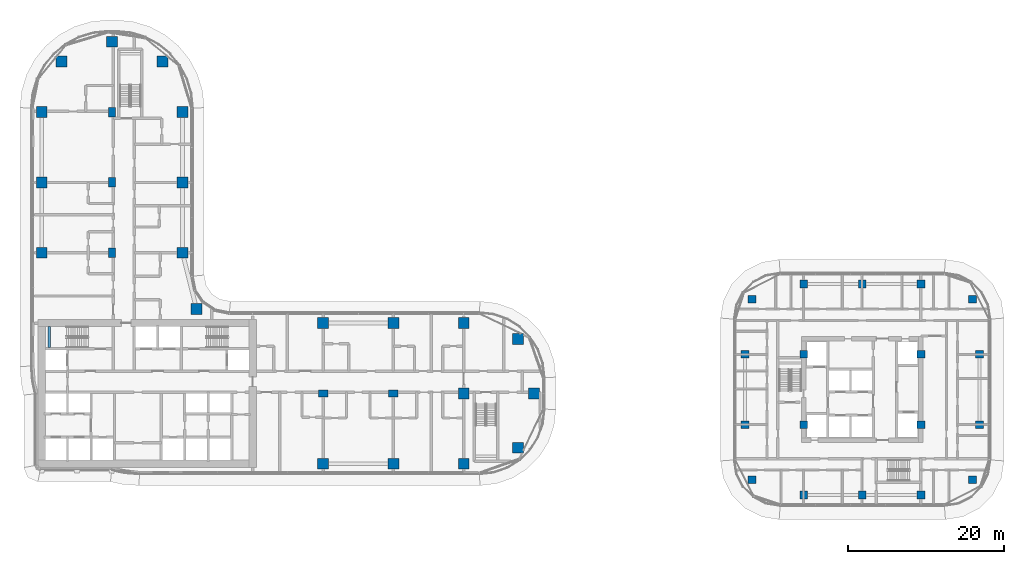
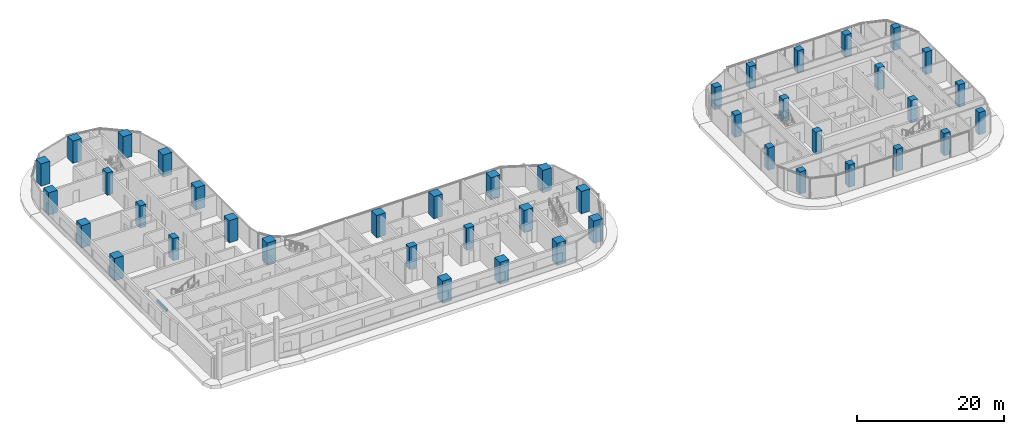
# One storey, part 1 of 39: 43 columns, 1 beam.
"""IFC4 building model written with IfcOpenShell, lengths in metres."""

import ifcopenshell
import ifcopenshell.guid

model = None  # the IFC model being written
_history = None  # IfcOwnerHistory: only IFC2X3 demands one
_inside = {}  # id of a spatial element -> (the spatial element, [elements in it])
_under = {}  # id of a project, library or spatial element -> (it, [spatial elements below it])
_declared = {}  # id of a project -> (the project, [libraries it declares])
_typed = {}  # id of a type object -> (the type object, [elements of that type])
_made_of = {}  # id of a material, layer set ... -> (it, [elements and type objects made of it])


def new_model(schema):
    """Start an empty IFC model of exactly this schema.

    Asked for "IFC4X3", IfcOpenShell would pick the latest addendum, in which some entities
    have other attributes; the version numbers below select the first issue.
    IFC2X3 requires an IfcOwnerHistory on every rooted entity: one is made here for all.
    """
    global model, _history
    if schema == "IFC4X3":
        model = ifcopenshell.file(schema_version=(4, 3, 0, 0))
    else:
        model = ifcopenshell.file(schema=schema)
    _inside.clear()
    _under.clear()
    _declared.clear()
    _typed.clear()
    _made_of.clear()
    _history = None
    if model.schema == "IFC2X3":
        org = make("IfcOrganization", Name="unknown")
        user = make(
            "IfcPersonAndOrganization",
            ThePerson=make("IfcPerson", FamilyName="unknown"),
            TheOrganization=org,
        )
        app = make(
            "IfcApplication",
            ApplicationDeveloper=org,
            Version="unknown",
            ApplicationFullName="unknown",
            ApplicationIdentifier="unknown",
        )
        _history = make(
            "IfcOwnerHistory",
            OwningUser=user,
            OwningApplication=app,
            ChangeAction="ADDED",
            CreationDate=0,
        )
    return model


def make(cls, **values):
    """One entity of the class cls with the attributes given. An attribute that is None is left unset."""
    return model.create_entity(
        cls, **{name: value for name, value in values.items() if value is not None}
    )


def rooted(cls, **values):
    """An entity with a GlobalId (a new one), such as an element, a storey or a relation."""
    return make(cls, GlobalId=ifcopenshell.guid.new(), OwnerHistory=_history, **values)


def si_unit(unit_type, name, prefix=None):
    """IfcSIUnit, for example si_unit("LENGTHUNIT", "METRE", prefix="MILLI")."""
    return make("IfcSIUnit", UnitType=unit_type, Prefix=prefix, Name=name)


def assignment(units):
    """IfcUnitAssignment: the units of a project."""
    return None if units is None else make("IfcUnitAssignment", Units=units)


def point(xyz):
    """IfcCartesianPoint."""
    return None if xyz is None else make("IfcCartesianPoint", Coordinates=xyz)


def direction(xyz):
    """IfcDirection."""
    return None if xyz is None else make("IfcDirection", DirectionRatios=xyz)


def frame(location, z_axis=None, x_axis=None):
    """IfcAxis2Placement3D, a coordinate frame: its origin and axes. An axis left out is left unset."""
    return make(
        "IfcAxis2Placement3D",
        Location=point(location),
        Axis=direction(z_axis),
        RefDirection=direction(x_axis),
    )


def frame_2d(location, x_axis=None):
    """IfcAxis2Placement2D, a coordinate frame in the plane: its origin and x axis."""
    return make(
        "IfcAxis2Placement2D", Location=point(location), RefDirection=direction(x_axis)
    )


def origin():
    """The frame at (0, 0, 0) with its axes left unset."""
    return frame((0.0, 0.0, 0.0))


def origin_2d():
    """The frame at (0, 0) in the plane with its x axis left unset."""
    return frame_2d((0.0, 0.0))


def place(relative_to, where):
    """IfcLocalPlacement: puts the frame where relative to a parent placement (None: the world)."""
    return make(
        "IfcLocalPlacement", PlacementRelTo=relative_to, RelativePlacement=where
    )


def context(
    kind, dimensions, precision=None, world=None, true_north=None, identifier=None
):
    """IfcGeometricRepresentationContext, for example the 3D "Model" context."""
    return make(
        "IfcGeometricRepresentationContext",
        ContextIdentifier=identifier,
        ContextType=kind,
        CoordinateSpaceDimension=dimensions,
        Precision=precision,
        WorldCoordinateSystem=world,
        TrueNorth=true_north,
    )


def subcontext(parent, identifier, kind, view, scale=None):
    """IfcGeometricRepresentationSubContext, for example "Body" below "Model"."""
    return make(
        "IfcGeometricRepresentationSubContext",
        ContextIdentifier=identifier,
        ContextType=kind,
        ParentContext=parent,
        TargetScale=scale,
        TargetView=view,
    )


def project(units=None, contexts=None):
    """IfcProject with its units and contexts."""
    return rooted(
        "IfcProject",
        Name="project",
        RepresentationContexts=contexts,
        UnitsInContext=assignment(units),
    )


def spatial(cls, under=None, at=None, **own):
    """A site, building, storey or space (cls), placed at a placement, below another one or the project."""
    s = rooted(cls, ObjectPlacement=at, **own)
    if under is not None:
        _under.setdefault(under.id(), (under, []))[1].append(s)
    return s


def profile(cls, at=None, kind="AREA", **sizes):
    """A parametric profile (cls). Its sizes go by their IFC names, for example OverallWidth=200.0."""
    return make(cls, ProfileType=kind, Position=at, **sizes)


def rectangle(**sizes):
    """IfcRectangleProfileDef."""
    return profile("IfcRectangleProfileDef", **sizes)


def extrude(swept, where, along, depth):
    """IfcExtrudedAreaSolid: the profile swept, set in the frame where, extruded along a direction by depth."""
    return make(
        "IfcExtrudedAreaSolid",
        SweptArea=swept,
        Position=where,
        ExtrudedDirection=direction(along),
        Depth=depth,
    )


def shape(context_of_items, identifier, shape_type, items):
    """IfcShapeRepresentation: the items that make up one representation, for example the "Body"."""
    return make(
        "IfcShapeRepresentation",
        ContextOfItems=context_of_items,
        RepresentationIdentifier=identifier,
        RepresentationType=shape_type,
        Items=items,
    )


def material(Name=None, Category=None):
    """IfcMaterial."""
    return make("IfcMaterial", Name=Name, Category=Category)


def material_profile(
    of_material, cross_section, Name=None, Category=None, Priority=None
):
    """IfcMaterialProfile: a cross section and its material."""
    return make(
        "IfcMaterialProfile",
        Name=Name,
        Material=of_material,
        Profile=cross_section,
        Priority=Priority,
        Category=Category,
    )


def profile_set(profiles, Name=None, composite=None):
    """IfcMaterialProfileSet."""
    return make(
        "IfcMaterialProfileSet",
        Name=Name,
        MaterialProfiles=profiles,
        CompositeProfile=composite,
    )


def made_of(thing, what):
    """Note that an element or type object is made of a material, layer set ...; save() writes the relation."""
    if what is not None:
        _made_of.setdefault(what.id(), (what, []))[1].append(thing)
    return thing


def type_object(cls, material=None, **own):
    """A type object (cls), such as IfcWallType, which elements share."""
    return made_of(rooted(cls, **own), material)


def element(
    cls,
    number,
    at=None,
    inside=None,
    cuts=None,
    type_object=None,
    material=None,
    context=None,
    identifier="Body",
    shape_type=None,
    held_by="IfcProductDefinitionShape",
    body=None,
    shapes=None,
    **own,
):
    """One element of the class cls, such as IfcWall. Its Tag is "e" and its number.

    at: its placement. inside: the storey or other place that contains it. cuts: it is an
    opening in that element (IfcRelVoidsElement). A single representation is given by context,
    identifier, shape_type and body (its items); several are given by shapes. held_by: the class
    of the entity that holds the representations. save() writes the other relations.
    """
    e = rooted(cls, Tag="e%d" % number, ObjectPlacement=at, **own)
    if body is not None:
        shapes = [shape(context, identifier, shape_type, body)]
    if shapes is not None:
        e.Representation = make(held_by, Representations=shapes)
    if inside is not None:
        _inside.setdefault(inside.id(), (inside, []))[1].append(e)
    if cuts is not None:
        rooted(
            "IfcRelVoidsElement", RelatingBuildingElement=cuts, RelatedOpeningElement=e
        )
    if type_object is not None:
        _typed.setdefault(type_object.id(), (type_object, []))[1].append(e)
    return made_of(e, material)


def aggregate(whole, parts):
    """IfcRelAggregates: a whole, such as a stair, and the parts it consists of."""
    return rooted("IfcRelAggregates", RelatingObject=whole, RelatedObjects=parts)


def save(model, path):
    """Write the relations noted so far, then the file.

    IfcRelAggregates (storeys below a building ...), IfcRelContainedInSpatialStructure (elements
    in a storey), IfcRelDefinesByType, IfcRelAssociatesMaterial and IfcRelDeclares: one each for
    every whole, place, type object, material and project.
    """
    for whole, parts in _under.values():
        aggregate(whole, parts)
    for where, things in _inside.values():
        rooted(
            "IfcRelContainedInSpatialStructure",
            RelatedElements=things,
            RelatingStructure=where,
        )
    for kind, things in _typed.values():
        rooted("IfcRelDefinesByType", RelatedObjects=things, RelatingType=kind)
    for what, things in _made_of.values():
        rooted("IfcRelAssociatesMaterial", RelatedObjects=things, RelatingMaterial=what)
    for by, libraries in _declared.values():
        rooted("IfcRelDeclares", RelatingContext=by, RelatedDefinitions=libraries)
    model.write(path)


model = new_model("IFC4")

# Units and contexts
model_context = context("Model", 3, precision=1e-05, world=origin(), true_north=direction((0.0, 1.0)))
body_context = subcontext(model_context, "Body", "Model", "MODEL_VIEW")
ifc_project = project(units=[si_unit("LENGTHUNIT", "METRE"), si_unit("AREAUNIT", "SQUARE_METRE"), si_unit("VOLUMEUNIT", "CUBIC_METRE"), si_unit("PLANEANGLEUNIT", "RADIAN"), si_unit("MASSUNIT", "GRAM", prefix="KILO")], contexts=[model_context])

# Site, building, storey
site_placement = place(None, origin())
site = spatial("IfcSite", under=ifc_project, at=site_placement, CompositionType="ELEMENT")
building_placement = place(site_placement, origin())
building = spatial("IfcBuilding", under=site, at=building_placement, Name="Ogive Portal Towers", CompositionType="ELEMENT")
storey_placement = place(building_placement, frame((0.0, 0.0, 44.60009765625)))
storey = spatial("IfcBuildingStorey", under=building, at=storey_placement, Name="L09", CompositionType="ELEMENT", Elevation=44.60009765625)

# Columns
ifc_material_1 = material(Name="Concrete C60/75", Category="concrete")
ifc_material_profile_1 = material_profile(ifc_material_1, rectangle(XDim=1.0, YDim=1.0, at=origin_2d()), Name="RC 1000x1000")
ifc_profile_set_1 = profile_set([ifc_material_profile_1], Name="Concrete C60/75")
column_type_1 = type_object("IfcColumnType", Name="COLUMN RC 1000x1000", PredefinedType="COLUMN", material=ifc_profile_set_1)
for number, where, z_axis, x_axis, name in (
    (1, (129.0, 17.5, 0.0), (0.0, 0.0, 1.0), (1.0, 0.0, 0.0), "Column 12/H L09"),
    (2, (136.5, 17.5, 0.0), (0.0, 0.0, 1.0), (1.0, 0.0, 0.0), "Column 13/H L09"),
    (3, (144.0, 17.5, 0.0), (0.0, 0.0, 1.0), (1.0, 0.0, 0.0), "Column 14/H L09"),
    (4, (122.40087890625, 19.44189453125, 0.0), (0.0, 0.0, 1.0), (1.0, 0.0, 0.0), "Column L09"),
    (5, (150.59912109375, 19.44189453125, 0.0), (0.0, 0.0, 1.0), (1.0, 0.0, 0.0), "Column L09"),
    (6, (121.5, 26.5, 0.0), (0.0, 0.0, 1.0), (1.0, 0.0, 0.0), "Column 11/J L09"),
    (7, (129.0, 26.5, 0.0), (0.0, 0.0, 1.0), (1.0, 0.0, 0.0), "Column 12/J L09"),
    (8, (144.0, 26.5, 0.0), (0.0, 0.0, 1.0), (1.0, 0.0, 0.0), "Column 14/J L09"),
    (9, (151.5, 26.5, 0.0), (0.0, 0.0, 1.0), (1.0, 0.0, 0.0), "Column 15/J L09"),
    (10, (121.5, 35.5, 0.0), (0.0, 0.0, 1.0), (1.0, 0.0, 0.0), "Column 11/K L09"),
    (11, (129.0, 35.5, 0.0), (0.0, 0.0, 1.0), (1.0, 0.0, 0.0), "Column 12/K L09"),
    (12, (144.0, 35.5, 0.0), (0.0, 0.0, 1.0), (1.0, 0.0, 0.0), "Column 14/K L09"),
    (13, (151.5, 35.5, 0.0), (0.0, 0.0, 1.0), (1.0, 0.0, 0.0), "Column 15/K L09"),
    (14, (122.40087890625, 42.55810546875, 0.0), (0.0, 0.0, 1.0), (1.0, 0.0, 0.0), "Column L09"),
    (15, (150.59912109375, 42.55810546875, 0.0), (0.0, 0.0, 1.0), (1.0, 0.0, 0.0), "Column L09"),
    (16, (129.0, 44.5, 0.0), (0.0, 0.0, 1.0), (1.0, 0.0, 0.0), "Column 12/L L09"),
    (17, (136.5, 44.5, 0.0), (0.0, 0.0, 1.0), (1.0, 0.0, 0.0), "Column 13/L L09"),
    (18, (144.0, 44.5, 0.0), (0.0, 0.0, 1.0), (1.0, 0.0, 0.0), "Column 14/L L09"),
):
    element("IfcColumn", number, at=place(storey_placement, frame(where, z_axis=z_axis, x_axis=x_axis)), inside=storey, type_object=column_type_1, Name=name, PredefinedType="COLUMN", context=body_context, shape_type="SweptSolid", body=[
        extrude(rectangle(XDim=1.0, YDim=1.0, at=origin_2d()), origin(), (0.0, 0.0, 1.0), 3.699951171875),
    ])
ifc_material_profile_2 = material_profile(ifc_material_1, rectangle(XDim=1.199951171875, YDim=0.89990234375, at=origin_2d()), Name="RC 1200x900")
ifc_profile_set_2 = profile_set([ifc_material_profile_2], Name="Concrete C60/75")
column_type_2 = type_object("IfcColumnType", Name="COLUMN RC 1200x900", PredefinedType="COLUMN", material=ifc_profile_set_2)
for number, where, z_axis, x_axis, name in (
    (19, (67.5, 30.5, 0.0), (0.0, 0.0, 1.0), (1.0, 0.0, 0.0), "Column 5/B L09"),
    (20, (76.5, 30.5, 0.0), (0.0, 0.0, 1.0), (1.0, 0.0, 0.0), "Column 6/B L09"),
    (21, (40.5, 48.5, 0.0), (0.0, 0.0, 1.0), (0.0, 1.0, 0.0), "Column 2/D L09"),
    (22, (40.5, 57.5, 0.0), (0.0, 0.0, 1.0), (0.0, 1.0, 0.0), "Column 2/E L09"),
    (23, (40.5, 66.5, 0.0), (0.0, 0.0, 1.0), (0.0, 1.0, 0.0), "Column 2/F L09"),
):
    element("IfcColumn", number, at=place(storey_placement, frame(where, z_axis=z_axis, x_axis=x_axis)), inside=storey, type_object=column_type_2, Name=name, PredefinedType="COLUMN", context=body_context, shape_type="SweptSolid", body=[
        extrude(rectangle(XDim=1.199951171875, YDim=0.89990234375, at=origin_2d()), origin(), (0.0, 0.0, 1.0), 3.699951171875),
    ])
ifc_material_profile_3 = material_profile(ifc_material_1, rectangle(XDim=1.39990234375, YDim=1.39990234375, at=origin_2d()), Name="RC 1400x1400")
ifc_profile_set_3 = profile_set([ifc_material_profile_3], Name="Concrete C60/75")
column_type_3 = type_object("IfcColumnType", Name="COLUMN RC 1400x1400", PredefinedType="COLUMN", material=ifc_profile_set_3)
for number, where, z_axis, x_axis, name in (
    (24, (67.5, 21.5, 0.0), (0.0, 0.0, 1.0), (1.0, 0.0, 0.0), "Column 5/A L09"),
    (25, (76.5, 21.5, 0.0), (0.0, 0.0, 1.0), (1.0, 0.0, 0.0), "Column 6/A L09"),
    (26, (85.5, 21.5, 0.0), (0.0, 0.0, 1.0), (1.0, 0.0, 0.0), "Column 7/A L09"),
    (27, (92.449951171875, 23.550048828125, 0.0), (0.0, 0.0, 1.0), (1.0, 0.0, 0.0), "Column L09"),
    (28, (85.5, 30.5, 0.0), (0.0, 0.0, 1.0), (1.0, 0.0, 0.0), "Column 7/B L09"),
    (29, (94.5, 30.5, 0.0), (0.0, 0.0, 1.0), (1.0, 0.0, 0.0), "Column 8/B L09"),
    (30, (92.449951171875, 37.449951171875, 0.0), (0.0, 0.0, 1.0), (1.0, 0.0, 0.0), "Column L09"),
    (31, (67.5, 39.5, 0.0), (0.0, 0.0, 1.0), (1.0, 0.0, 0.0), "Column 5/C L09"),
    (32, (76.5, 39.5, 0.0), (0.0, 0.0, 1.0), (1.0, 0.0, 0.0), "Column 6/C L09"),
    (33, (85.5, 39.5, 0.0), (0.0, 0.0, 1.0), (1.0, 0.0, 0.0), "Column 7/C L09"),
    (34, (51.31005859375, 41.31005859375, 0.0), (0.0, 0.0, 1.0), (1.0, 0.0, 0.0), "Column L09"),
    (35, (31.5, 48.5, 0.0), (0.0, 0.0, 1.0), (1.0, 0.0, 0.0), "Column 1/D L09"),
    (36, (49.5, 48.5, 0.0), (0.0, 0.0, 1.0), (1.0, 0.0, 0.0), "Column 3/D L09"),
    (37, (31.5, 57.5, 0.0), (0.0, 0.0, 1.0), (1.0, 0.0, 0.0), "Column 1/E L09"),
    (38, (49.5, 57.5, 0.0), (0.0, 0.0, 1.0), (1.0, 0.0, 0.0), "Column 3/E L09"),
    (39, (31.5, 66.5, 0.0), (0.0, 0.0, 1.0), (1.0, 0.0, 0.0), "Column 1/F L09"),
    (40, (49.5, 66.5, 0.0), (0.0, 0.0, 1.0), (1.0, 0.0, 0.0), "Column 3/F L09"),
    (41, (34.027099609375, 72.972900390625, 0.0), (0.0, 0.0, 1.0), (1.0, 0.0, 0.0), "Column L09"),
    (42, (46.972900390625, 72.972900390625, 0.0), (0.0, 0.0, 1.0), (1.0, 0.0, 0.0), "Column L09"),
    (43, (40.5, 75.5, 0.0), (0.0, 0.0, 1.0), (1.0, 0.0, 0.0), "Column 2/G L09"),
):
    element("IfcColumn", number, at=place(storey_placement, frame(where, z_axis=z_axis, x_axis=x_axis)), inside=storey, type_object=column_type_3, Name=name, PredefinedType="COLUMN", context=body_context, shape_type="SweptSolid", body=[
        extrude(rectangle(XDim=1.39990234375, YDim=1.39990234375, at=origin_2d()), origin(), (0.0, 0.0, 1.0), 3.699951171875),
    ])

# Beam
ifc_material_2 = material(Name="Concrete C40/50", Category="concrete")
ifc_material_profile_4 = material_profile(ifc_material_2, rectangle(XDim=0.300048828125, YDim=0.39990234375, at=origin_2d()), Name="RC 300x400")
ifc_profile_set_4 = profile_set([ifc_material_profile_4], Name="Concrete C40/50")
beam_type = type_object("IfcBeamType", Name="BEAM RC 300x400", PredefinedType="BEAM", material=ifc_profile_set_4)
beam_placement = place(storey_placement, frame((32.449951171875, 36.35009765625, 1.449951171875), z_axis=(0.0, 1.0, 0.0), x_axis=(-1.0, 0.0, 0.0)))
element("IfcBeam", 44, at=beam_placement, inside=storey, type_object=beam_type, Name="Landing beam L09", PredefinedType="BEAM", context=body_context, shape_type="SweptSolid", body=[
    extrude(rectangle(XDim=0.300048828125, YDim=0.39990234375, at=origin_2d()), origin(), (0.0, 0.0, 1.0), 2.699951171875),
])

save(model, "model.ifc")
